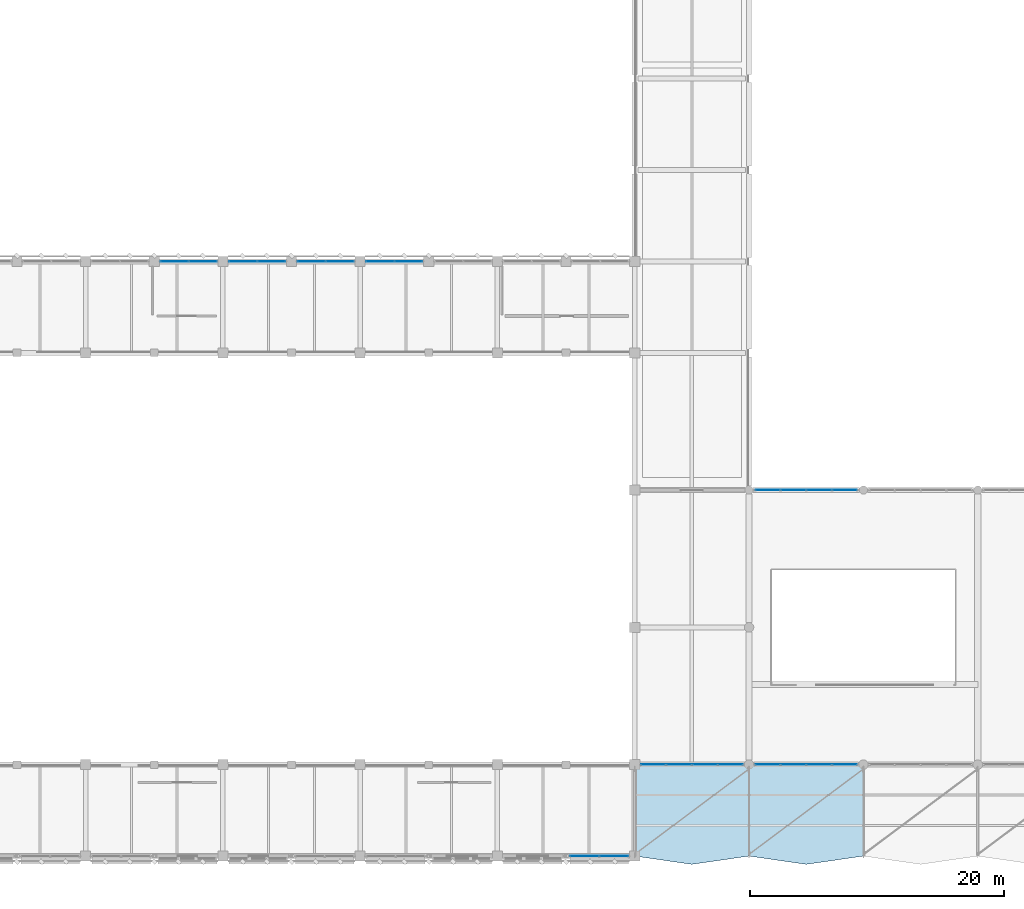
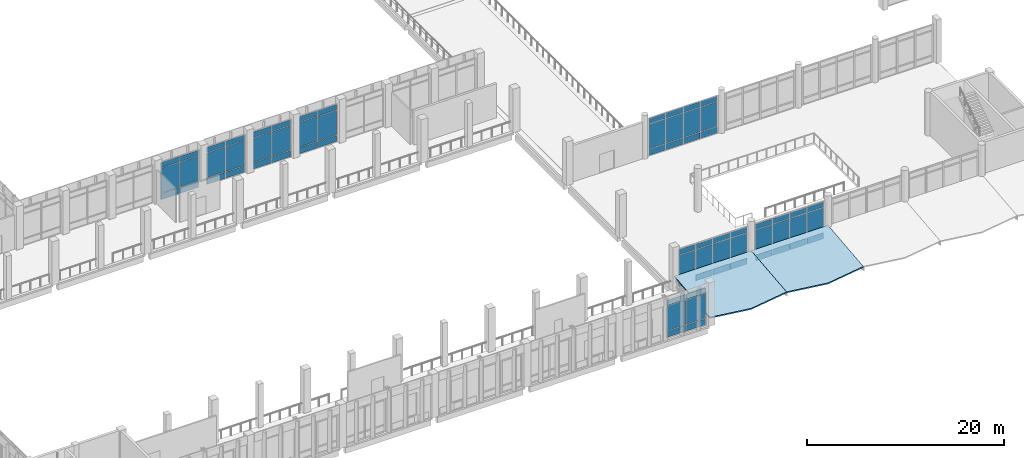
# One storey, part 141 of 180: 66 plates, 2 slabs, 8 elements without a shape of their own.
"""IFC4 building model written with IfcOpenShell, lengths in metres."""

from ifc_helpers import new_model, si_unit, direction, frame, origin, origin_2d, place, context, subcontext, project, spatial, polyline, rectangle, outline, extrude, material, layer, layer_set, type_object, element, aggregate, save


model = new_model("IFC4")

# Units and contexts
model_context = context("Model", 3, precision=1e-05, world=origin(), true_north=direction((0.0, 1.0)))
body_context = subcontext(model_context, "Body", "Model", "MODEL_VIEW")
ifc_project = project(units=[si_unit("LENGTHUNIT", "METRE"), si_unit("AREAUNIT", "SQUARE_METRE"), si_unit("VOLUMEUNIT", "CUBIC_METRE"), si_unit("PLANEANGLEUNIT", "RADIAN"), si_unit("MASSUNIT", "GRAM", prefix="KILO")], contexts=[model_context])

# Site, building, storey
site_placement = place(None, origin())
site = spatial("IfcSite", under=ifc_project, at=site_placement, CompositionType="ELEMENT")
building_placement = place(site_placement, origin())
building = spatial("IfcBuilding", under=site, at=building_placement, Name="Lusvemor Sports Hall", CompositionType="ELEMENT")
storey_placement = place(building_placement, frame((0.0, 0.0, 5.39990234375)))
storey = spatial("IfcBuildingStorey", under=building, at=storey_placement, Name="L01", CompositionType="ELEMENT", Elevation=5.39990234375)

# Curtain wall, plates
ifc_material_1 = material(Name="Thermally broken bronze-anodized aluminium", Category="aluminium")
curtain_wall_type_1 = type_object("IfcCurtainWallType", Name="CW_COURT_C", PredefinedType="NOTDEFINED", material=ifc_material_1)
curtain_wall_1_placement = place(storey_placement, origin())
curtain_wall_1 = element("IfcCurtainWall", 1, at=curtain_wall_1_placement, inside=storey, type_object=curtain_wall_type_1, Name="Curtain Wall CW-V1N-L01-3-B", PredefinedType="NOTDEFINED")
ifc_material_2 = material(Name="Solar-control laminated double glazing", Category="glass")
ifc_layer_1 = layer(ifc_material_2, 0.028076171875)
ifc_layer_set_1 = layer_set([ifc_layer_1], Name="Solar-control laminated double glazing")
plate_type_1 = type_object("IfcPlateType", Name="CW_PAN_GLZ_28", PredefinedType="CURTAIN_PANEL", material=ifc_layer_set_1)
plate_1_placement = place(storey_placement, frame((39.38134765625, 46.800048828125, 0.880126953125), z_axis=(0.0, 0.0, 1.0), x_axis=(1.0, 0.0, 0.0)))
plate_1 = element("IfcPlate", 2, at=plate_1_placement, type_object=plate_type_1, Name="CW03 panel 1.2", PredefinedType="CURTAIN_PANEL", context=body_context, shape_type="SweptSolid", body=[
    extrude(rectangle(XDim=2.172607421875, YDim=0.028076171875, at=origin_2d()), origin(), (0.0, 0.0, 1.0), 3.0400390625),
])
plate_2_placement = place(storey_placement, frame((39.38134765625, 46.800048828125, 3.97998046875), z_axis=(0.0, 0.0, 1.0), x_axis=(1.0, 0.0, 0.0)))
plate_2 = element("IfcPlate", 3, at=plate_2_placement, type_object=plate_type_1, Name="CW03 panel 1.3", PredefinedType="CURTAIN_PANEL", context=body_context, shape_type="SweptSolid", body=[
    extrude(rectangle(XDim=2.172607421875, YDim=0.028076171875, at=origin_2d()), origin(), (0.0, 0.0, 1.0), 0.659912109375),
])
plate_3_placement = place(storey_placement, frame((41.61865234375, 46.800048828125, 0.880126953125), z_axis=(0.0, 0.0, 1.0), x_axis=(1.0, 0.0, 0.0)))
plate_3 = element("IfcPlate", 4, at=plate_3_placement, type_object=plate_type_1, Name="CW03 panel 2.2", PredefinedType="CURTAIN_PANEL", context=body_context, shape_type="SweptSolid", body=[
    extrude(rectangle(XDim=2.172607421875, YDim=0.028076171875, at=origin_2d()), origin(), (0.0, 0.0, 1.0), 3.0400390625),
])
plate_4_placement = place(storey_placement, frame((41.61865234375, 46.800048828125, 3.97998046875), z_axis=(0.0, 0.0, 1.0), x_axis=(1.0, 0.0, 0.0)))
plate_4 = element("IfcPlate", 5, at=plate_4_placement, type_object=plate_type_1, Name="CW03 panel 2.3", PredefinedType="CURTAIN_PANEL", context=body_context, shape_type="SweptSolid", body=[
    extrude(rectangle(XDim=2.172607421875, YDim=0.028076171875, at=origin_2d()), origin(), (0.0, 0.0, 1.0), 0.659912109375),
])

curtain_wall_2_placement = place(storey_placement, origin())
curtain_wall_2 = element("IfcCurtainWall", 6, at=curtain_wall_2_placement, inside=storey, type_object=curtain_wall_type_1, Name="Curtain Wall CW-V1N-L01-4-A", PredefinedType="NOTDEFINED")
plate_5_placement = place(storey_placement, frame((44.78125, 46.800048828125, 0.880126953125), z_axis=(0.0, 0.0, 1.0), x_axis=(1.0, 0.0, 0.0)))
plate_5 = element("IfcPlate", 7, at=plate_5_placement, type_object=plate_type_1, Name="CW03 panel 1.2", PredefinedType="CURTAIN_PANEL", context=body_context, shape_type="SweptSolid", body=[
    extrude(rectangle(XDim=2.172607421875, YDim=0.028076171875, at=origin_2d()), origin(), (0.0, 0.0, 1.0), 3.0400390625),
])
plate_6_placement = place(storey_placement, frame((44.78125, 46.800048828125, 3.97998046875), z_axis=(0.0, 0.0, 1.0), x_axis=(1.0, 0.0, 0.0)))
plate_6 = element("IfcPlate", 8, at=plate_6_placement, type_object=plate_type_1, Name="CW03 panel 1.3", PredefinedType="CURTAIN_PANEL", context=body_context, shape_type="SweptSolid", body=[
    extrude(rectangle(XDim=2.172607421875, YDim=0.028076171875, at=origin_2d()), origin(), (0.0, 0.0, 1.0), 0.659912109375),
])
plate_7_placement = place(storey_placement, frame((47.018798828125, 46.800048828125, 0.880126953125), z_axis=(0.0, 0.0, 1.0), x_axis=(1.0, 0.0, 0.0)))
plate_7 = element("IfcPlate", 9, at=plate_7_placement, type_object=plate_type_1, Name="CW03 panel 2.2", PredefinedType="CURTAIN_PANEL", context=body_context, shape_type="SweptSolid", body=[
    extrude(rectangle(XDim=2.172607421875, YDim=0.028076171875, at=origin_2d()), origin(), (0.0, 0.0, 1.0), 3.0400390625),
])
plate_8_placement = place(storey_placement, frame((47.018798828125, 46.800048828125, 3.97998046875), z_axis=(0.0, 0.0, 1.0), x_axis=(1.0, 0.0, 0.0)))
plate_8 = element("IfcPlate", 10, at=plate_8_placement, type_object=plate_type_1, Name="CW03 panel 2.3", PredefinedType="CURTAIN_PANEL", context=body_context, shape_type="SweptSolid", body=[
    extrude(rectangle(XDim=2.172607421875, YDim=0.028076171875, at=origin_2d()), origin(), (0.0, 0.0, 1.0), 0.659912109375),
])

curtain_wall_3_placement = place(storey_placement, origin())
curtain_wall_3 = element("IfcCurtainWall", 11, at=curtain_wall_3_placement, inside=storey, type_object=curtain_wall_type_1, Name="Curtain Wall CW-V1N-L01-4-B", PredefinedType="NOTDEFINED")
plate_9_placement = place(storey_placement, frame((50.18115234375, 46.800048828125, 0.880126953125), z_axis=(0.0, 0.0, 1.0), x_axis=(1.0, 0.0, 0.0)))
plate_9 = element("IfcPlate", 12, at=plate_9_placement, type_object=plate_type_1, Name="CW03 panel 1.2", PredefinedType="CURTAIN_PANEL", context=body_context, shape_type="SweptSolid", body=[
    extrude(rectangle(XDim=2.172607421875, YDim=0.028076171875, at=origin_2d()), origin(), (0.0, 0.0, 1.0), 3.0400390625),
])
plate_10_placement = place(storey_placement, frame((50.18115234375, 46.800048828125, 3.97998046875), z_axis=(0.0, 0.0, 1.0), x_axis=(1.0, 0.0, 0.0)))
plate_10 = element("IfcPlate", 13, at=plate_10_placement, type_object=plate_type_1, Name="CW03 panel 1.3", PredefinedType="CURTAIN_PANEL", context=body_context, shape_type="SweptSolid", body=[
    extrude(rectangle(XDim=2.172607421875, YDim=0.028076171875, at=origin_2d()), origin(), (0.0, 0.0, 1.0), 0.659912109375),
])
plate_11_placement = place(storey_placement, frame((52.418701171875, 46.800048828125, 0.880126953125), z_axis=(0.0, 0.0, 1.0), x_axis=(1.0, 0.0, 0.0)))
plate_11 = element("IfcPlate", 14, at=plate_11_placement, type_object=plate_type_1, Name="CW03 panel 2.2", PredefinedType="CURTAIN_PANEL", context=body_context, shape_type="SweptSolid", body=[
    extrude(rectangle(XDim=2.172607421875, YDim=0.028076171875, at=origin_2d()), origin(), (0.0, 0.0, 1.0), 3.0400390625),
])
plate_12_placement = place(storey_placement, frame((52.418701171875, 46.800048828125, 3.97998046875), z_axis=(0.0, 0.0, 1.0), x_axis=(1.0, 0.0, 0.0)))
plate_12 = element("IfcPlate", 15, at=plate_12_placement, type_object=plate_type_1, Name="CW03 panel 2.3", PredefinedType="CURTAIN_PANEL", context=body_context, shape_type="SweptSolid", body=[
    extrude(rectangle(XDim=2.172607421875, YDim=0.028076171875, at=origin_2d()), origin(), (0.0, 0.0, 1.0), 0.659912109375),
])

curtain_wall_4_placement = place(storey_placement, origin())
curtain_wall_4 = element("IfcCurtainWall", 16, at=curtain_wall_4_placement, inside=storey, type_object=curtain_wall_type_1, Name="Curtain Wall CW-V1N-L01-5-A", PredefinedType="NOTDEFINED")
plate_13_placement = place(storey_placement, frame((55.581298828125, 46.800048828125, 0.880126953125), z_axis=(0.0, 0.0, 1.0), x_axis=(1.0, 0.0, 0.0)))
plate_13 = element("IfcPlate", 17, at=plate_13_placement, type_object=plate_type_1, Name="CW03 panel 1.2", PredefinedType="CURTAIN_PANEL", context=body_context, shape_type="SweptSolid", body=[
    extrude(rectangle(XDim=2.172607421875, YDim=0.028076171875, at=origin_2d()), origin(), (0.0, 0.0, 1.0), 3.0400390625),
])
plate_14_placement = place(storey_placement, frame((55.581298828125, 46.800048828125, 3.97998046875), z_axis=(0.0, 0.0, 1.0), x_axis=(1.0, 0.0, 0.0)))
plate_14 = element("IfcPlate", 18, at=plate_14_placement, type_object=plate_type_1, Name="CW03 panel 1.3", PredefinedType="CURTAIN_PANEL", context=body_context, shape_type="SweptSolid", body=[
    extrude(rectangle(XDim=2.172607421875, YDim=0.028076171875, at=origin_2d()), origin(), (0.0, 0.0, 1.0), 0.659912109375),
])
plate_15_placement = place(storey_placement, frame((57.81884765625, 46.800048828125, 0.880126953125), z_axis=(0.0, 0.0, 1.0), x_axis=(1.0, 0.0, 0.0)))
plate_15 = element("IfcPlate", 19, at=plate_15_placement, type_object=plate_type_1, Name="CW03 panel 2.2", PredefinedType="CURTAIN_PANEL", context=body_context, shape_type="SweptSolid", body=[
    extrude(rectangle(XDim=2.172607421875, YDim=0.028076171875, at=origin_2d()), origin(), (0.0, 0.0, 1.0), 3.0400390625),
])
plate_16_placement = place(storey_placement, frame((57.81884765625, 46.800048828125, 3.97998046875), z_axis=(0.0, 0.0, 1.0), x_axis=(1.0, 0.0, 0.0)))
plate_16 = element("IfcPlate", 20, at=plate_16_placement, type_object=plate_type_1, Name="CW03 panel 2.3", PredefinedType="CURTAIN_PANEL", context=body_context, shape_type="SweptSolid", body=[
    extrude(rectangle(XDim=2.172607421875, YDim=0.028076171875, at=origin_2d()), origin(), (0.0, 0.0, 1.0), 0.659912109375),
])

curtain_wall_5_placement = place(storey_placement, origin())
curtain_wall_5 = element("IfcCurtainWall", 21, at=curtain_wall_5_placement, inside=storey, type_object=curtain_wall_type_1, Name="Curtain Wall CW-V1S-L01-6-2", PredefinedType="NOTDEFINED")
plate_17_placement = place(storey_placement, frame((73.972412109375, 0.0, 0.8828125), z_axis=(0.0, 0.0, 1.0), x_axis=(-1.0, 0.0, 0.0)))
plate_17 = element("IfcPlate", 22, at=plate_17_placement, type_object=plate_type_1, Name="CW03 panel 1.2", PredefinedType="CURTAIN_PANEL", context=body_context, shape_type="SweptSolid", body=[
    extrude(rectangle(XDim=2.2548828125, YDim=0.028076171875, at=origin_2d()), origin(), (0.0, 0.0, 1.0), 3.034912109375),
])
plate_18_placement = place(storey_placement, frame((73.972412109375, 0.0, 3.982421875), z_axis=(0.0, 0.0, 1.0), x_axis=(-1.0, 0.0, 0.0)))
plate_18 = element("IfcPlate", 23, at=plate_18_placement, type_object=plate_type_1, Name="CW03 panel 1.3", PredefinedType="CURTAIN_PANEL", context=body_context, shape_type="SweptSolid", body=[
    extrude(rectangle(XDim=2.2548828125, YDim=0.028076171875, at=origin_2d()), origin(), (0.0, 0.0, 1.0), 0.652587890625),
])
plate_19_placement = place(storey_placement, frame((71.6474609375, 0.0, 0.8828125), z_axis=(0.0, 0.0, 1.0), x_axis=(-1.0, 0.0, 0.0)))
plate_19 = element("IfcPlate", 24, at=plate_19_placement, type_object=plate_type_1, Name="CW03 panel 2.2", PredefinedType="CURTAIN_PANEL", context=body_context, shape_type="SweptSolid", body=[
    extrude(rectangle(XDim=2.2548828125, YDim=0.028076171875, at=origin_2d()), origin(), (0.0, 0.0, 1.0), 3.034912109375),
])
plate_20_placement = place(storey_placement, frame((71.6474609375, 0.0, 3.982421875), z_axis=(0.0, 0.0, 1.0), x_axis=(-1.0, 0.0, 0.0)))
plate_20 = element("IfcPlate", 25, at=plate_20_placement, type_object=plate_type_1, Name="CW03 panel 2.3", PredefinedType="CURTAIN_PANEL", context=body_context, shape_type="SweptSolid", body=[
    extrude(rectangle(XDim=2.2548828125, YDim=0.028076171875, at=origin_2d()), origin(), (0.0, 0.0, 1.0), 0.652587890625),
])

ifc_material_3 = material(Name="Thermally broken bronze-anodized aluminium", Category="aluminium")
curtain_wall_type_2 = type_object("IfcCurtainWallType", Name="CW_FOYER_A", PredefinedType="NOTDEFINED", material=ifc_material_3)
curtain_wall_6_placement = place(storey_placement, origin())
curtain_wall_6 = element("IfcCurtainWall", 26, at=curtain_wall_6_placement, inside=storey, type_object=curtain_wall_type_2, Name="Curtain Wall CW-V4S-L01-0", PredefinedType="NOTDEFINED")
plate_21_placement = place(storey_placement, frame((83.12744140625, 7.199951171875, 0.8828125), z_axis=(0.0, 0.0, 1.0), x_axis=(-1.0, 0.0, 0.0)))
plate_21 = element("IfcPlate", 27, at=plate_21_placement, type_object=plate_type_1, Name="CW01 panel 1.2", PredefinedType="CURTAIN_PANEL", context=body_context, shape_type="SweptSolid", body=[
    extrude(rectangle(XDim=1.925048828125, YDim=0.028076171875, at=origin_2d()), origin(), (0.0, 0.0, 1.0), 3.034912109375),
])
plate_22_placement = place(storey_placement, frame((83.12744140625, 7.199951171875, 3.982421875), z_axis=(0.0, 0.0, 1.0), x_axis=(-1.0, 0.0, 0.0)))
plate_22 = element("IfcPlate", 28, at=plate_22_placement, type_object=plate_type_1, Name="CW01 panel 1.3", PredefinedType="CURTAIN_PANEL", context=body_context, shape_type="SweptSolid", body=[
    extrude(rectangle(XDim=1.925048828125, YDim=0.028076171875, at=origin_2d()), origin(), (0.0, 0.0, 1.0), 0.652587890625),
])
plate_23_placement = place(storey_placement, frame((81.114990234375, 7.199951171875, 0.8828125), z_axis=(0.0, 0.0, 1.0), x_axis=(-1.0, 0.0, 0.0)))
plate_23 = element("IfcPlate", 29, at=plate_23_placement, type_object=plate_type_1, Name="CW01 panel 2.2", PredefinedType="CURTAIN_PANEL", context=body_context, shape_type="SweptSolid", body=[
    extrude(rectangle(XDim=1.9599609375, YDim=0.028076171875, at=origin_2d()), origin(), (0.0, 0.0, 1.0), 3.034912109375),
])
plate_24_placement = place(storey_placement, frame((81.114990234375, 7.199951171875, 3.982421875), z_axis=(0.0, 0.0, 1.0), x_axis=(-1.0, 0.0, 0.0)))
plate_24 = element("IfcPlate", 30, at=plate_24_placement, type_object=plate_type_1, Name="CW01 panel 2.3", PredefinedType="CURTAIN_PANEL", context=body_context, shape_type="SweptSolid", body=[
    extrude(rectangle(XDim=1.9599609375, YDim=0.028076171875, at=origin_2d()), origin(), (0.0, 0.0, 1.0), 0.652587890625),
])
plate_25_placement = place(storey_placement, frame((79.0849609375, 7.199951171875, 0.8828125), z_axis=(0.0, 0.0, 1.0), x_axis=(-1.0, 0.0, 0.0)))
plate_25 = element("IfcPlate", 31, at=plate_25_placement, type_object=plate_type_1, Name="CW01 panel 3.2", PredefinedType="CURTAIN_PANEL", context=body_context, shape_type="SweptSolid", body=[
    extrude(rectangle(XDim=1.9599609375, YDim=0.028076171875, at=origin_2d()), origin(), (0.0, 0.0, 1.0), 3.034912109375),
])
plate_26_placement = place(storey_placement, frame((79.0849609375, 7.199951171875, 3.982421875), z_axis=(0.0, 0.0, 1.0), x_axis=(-1.0, 0.0, 0.0)))
plate_26 = element("IfcPlate", 32, at=plate_26_placement, type_object=plate_type_1, Name="CW01 panel 3.3", PredefinedType="CURTAIN_PANEL", context=body_context, shape_type="SweptSolid", body=[
    extrude(rectangle(XDim=1.9599609375, YDim=0.028076171875, at=origin_2d()), origin(), (0.0, 0.0, 1.0), 0.652587890625),
])
plate_27_placement = place(storey_placement, frame((77.072509765625, 7.199951171875, 0.8828125), z_axis=(0.0, 0.0, 1.0), x_axis=(-1.0, 0.0, 0.0)))
plate_27 = element("IfcPlate", 33, at=plate_27_placement, type_object=plate_type_1, Name="CW01 panel 4.2", PredefinedType="CURTAIN_PANEL", context=body_context, shape_type="SweptSolid", body=[
    extrude(rectangle(XDim=1.925048828125, YDim=0.028076171875, at=origin_2d()), origin(), (0.0, 0.0, 1.0), 3.034912109375),
])
plate_28_placement = place(storey_placement, frame((77.072509765625, 7.199951171875, 3.982421875), z_axis=(0.0, 0.0, 1.0), x_axis=(-1.0, 0.0, 0.0)))
plate_28 = element("IfcPlate", 34, at=plate_28_placement, type_object=plate_type_1, Name="CW01 panel 4.3", PredefinedType="CURTAIN_PANEL", context=body_context, shape_type="SweptSolid", body=[
    extrude(rectangle(XDim=1.925048828125, YDim=0.028076171875, at=origin_2d()), origin(), (0.0, 0.0, 1.0), 0.652587890625),
])

curtain_wall_7_placement = place(storey_placement, origin())
curtain_wall_7 = element("IfcCurtainWall", 35, at=curtain_wall_7_placement, inside=storey, type_object=curtain_wall_type_2, Name="Curtain Wall CW-V4S-L01-1", PredefinedType="NOTDEFINED")
plate_29_placement = place(storey_placement, frame((92.12744140625, 7.199951171875, 0.8828125), z_axis=(0.0, 0.0, 1.0), x_axis=(-1.0, 0.0, 0.0)))
plate_29 = element("IfcPlate", 36, at=plate_29_placement, type_object=plate_type_1, Name="CW01 panel 1.2", PredefinedType="CURTAIN_PANEL", context=body_context, shape_type="SweptSolid", body=[
    extrude(rectangle(XDim=1.925048828125, YDim=0.028076171875, at=origin_2d()), origin(), (0.0, 0.0, 1.0), 3.034912109375),
])
plate_30_placement = place(storey_placement, frame((92.12744140625, 7.199951171875, 3.982421875), z_axis=(0.0, 0.0, 1.0), x_axis=(-1.0, 0.0, 0.0)))
plate_30 = element("IfcPlate", 37, at=plate_30_placement, type_object=plate_type_1, Name="CW01 panel 1.3", PredefinedType="CURTAIN_PANEL", context=body_context, shape_type="SweptSolid", body=[
    extrude(rectangle(XDim=1.925048828125, YDim=0.028076171875, at=origin_2d()), origin(), (0.0, 0.0, 1.0), 0.652587890625),
])
plate_31_placement = place(storey_placement, frame((90.114990234375, 7.199951171875, 0.8828125), z_axis=(0.0, 0.0, 1.0), x_axis=(-1.0, 0.0, 0.0)))
plate_31 = element("IfcPlate", 38, at=plate_31_placement, type_object=plate_type_1, Name="CW01 panel 2.2", PredefinedType="CURTAIN_PANEL", context=body_context, shape_type="SweptSolid", body=[
    extrude(rectangle(XDim=1.9599609375, YDim=0.028076171875, at=origin_2d()), origin(), (0.0, 0.0, 1.0), 3.034912109375),
])
plate_32_placement = place(storey_placement, frame((90.114990234375, 7.199951171875, 3.982421875), z_axis=(0.0, 0.0, 1.0), x_axis=(-1.0, 0.0, 0.0)))
plate_32 = element("IfcPlate", 39, at=plate_32_placement, type_object=plate_type_1, Name="CW01 panel 2.3", PredefinedType="CURTAIN_PANEL", context=body_context, shape_type="SweptSolid", body=[
    extrude(rectangle(XDim=1.9599609375, YDim=0.028076171875, at=origin_2d()), origin(), (0.0, 0.0, 1.0), 0.652587890625),
])
plate_33_placement = place(storey_placement, frame((88.0849609375, 7.199951171875, 0.8828125), z_axis=(0.0, 0.0, 1.0), x_axis=(-1.0, 0.0, 0.0)))
plate_33 = element("IfcPlate", 40, at=plate_33_placement, type_object=plate_type_1, Name="CW01 panel 3.2", PredefinedType="CURTAIN_PANEL", context=body_context, shape_type="SweptSolid", body=[
    extrude(rectangle(XDim=1.9599609375, YDim=0.028076171875, at=origin_2d()), origin(), (0.0, 0.0, 1.0), 3.034912109375),
])
plate_34_placement = place(storey_placement, frame((88.0849609375, 7.199951171875, 3.982421875), z_axis=(0.0, 0.0, 1.0), x_axis=(-1.0, 0.0, 0.0)))
plate_34 = element("IfcPlate", 41, at=plate_34_placement, type_object=plate_type_1, Name="CW01 panel 3.3", PredefinedType="CURTAIN_PANEL", context=body_context, shape_type="SweptSolid", body=[
    extrude(rectangle(XDim=1.9599609375, YDim=0.028076171875, at=origin_2d()), origin(), (0.0, 0.0, 1.0), 0.652587890625),
])
plate_35_placement = place(storey_placement, frame((86.072509765625, 7.199951171875, 0.8828125), z_axis=(0.0, 0.0, 1.0), x_axis=(-1.0, 0.0, 0.0)))
plate_35 = element("IfcPlate", 42, at=plate_35_placement, type_object=plate_type_1, Name="CW01 panel 4.2", PredefinedType="CURTAIN_PANEL", context=body_context, shape_type="SweptSolid", body=[
    extrude(rectangle(XDim=1.925048828125, YDim=0.028076171875, at=origin_2d()), origin(), (0.0, 0.0, 1.0), 3.034912109375),
])
plate_36_placement = place(storey_placement, frame((86.072509765625, 7.199951171875, 3.982421875), z_axis=(0.0, 0.0, 1.0), x_axis=(-1.0, 0.0, 0.0)))
plate_36 = element("IfcPlate", 43, at=plate_36_placement, type_object=plate_type_1, Name="CW01 panel 4.3", PredefinedType="CURTAIN_PANEL", context=body_context, shape_type="SweptSolid", body=[
    extrude(rectangle(XDim=1.925048828125, YDim=0.028076171875, at=origin_2d()), origin(), (0.0, 0.0, 1.0), 0.652587890625),
])

curtain_wall_8_placement = place(storey_placement, origin())
curtain_wall_8 = element("IfcCurtainWall", 44, at=curtain_wall_8_placement, inside=storey, type_object=curtain_wall_type_2, Name="Curtain Wall CW-V4N-L01-1", PredefinedType="NOTDEFINED")
plate_37_placement = place(storey_placement, frame((86.072509765625, 28.800048828125, 0.8828125), z_axis=(0.0, 0.0, 1.0), x_axis=(1.0, 0.0, 0.0)))
plate_37 = element("IfcPlate", 45, at=plate_37_placement, type_object=plate_type_1, Name="CW01 panel 1.2", PredefinedType="CURTAIN_PANEL", context=body_context, shape_type="SweptSolid", body=[
    extrude(rectangle(XDim=1.925048828125, YDim=0.028076171875, at=origin_2d()), origin(), (0.0, 0.0, 1.0), 3.034912109375),
])
plate_38_placement = place(storey_placement, frame((86.072509765625, 28.800048828125, 3.982421875), z_axis=(0.0, 0.0, 1.0), x_axis=(1.0, 0.0, 0.0)))
plate_38 = element("IfcPlate", 46, at=plate_38_placement, type_object=plate_type_1, Name="CW01 panel 1.3", PredefinedType="CURTAIN_PANEL", context=body_context, shape_type="SweptSolid", body=[
    extrude(rectangle(XDim=1.925048828125, YDim=0.028076171875, at=origin_2d()), origin(), (0.0, 0.0, 1.0), 0.652587890625),
])
plate_39_placement = place(storey_placement, frame((88.0849609375, 28.800048828125, 0.8828125), z_axis=(0.0, 0.0, 1.0), x_axis=(1.0, 0.0, 0.0)))
plate_39 = element("IfcPlate", 47, at=plate_39_placement, type_object=plate_type_1, Name="CW01 panel 2.2", PredefinedType="CURTAIN_PANEL", context=body_context, shape_type="SweptSolid", body=[
    extrude(rectangle(XDim=1.9599609375, YDim=0.028076171875, at=origin_2d()), origin(), (0.0, 0.0, 1.0), 3.034912109375),
])
plate_40_placement = place(storey_placement, frame((88.0849609375, 28.800048828125, 3.982421875), z_axis=(0.0, 0.0, 1.0), x_axis=(1.0, 0.0, 0.0)))
plate_40 = element("IfcPlate", 48, at=plate_40_placement, type_object=plate_type_1, Name="CW01 panel 2.3", PredefinedType="CURTAIN_PANEL", context=body_context, shape_type="SweptSolid", body=[
    extrude(rectangle(XDim=1.9599609375, YDim=0.028076171875, at=origin_2d()), origin(), (0.0, 0.0, 1.0), 0.652587890625),
])
plate_41_placement = place(storey_placement, frame((90.114990234375, 28.800048828125, 0.8828125), z_axis=(0.0, 0.0, 1.0), x_axis=(1.0, 0.0, 0.0)))
plate_41 = element("IfcPlate", 49, at=plate_41_placement, type_object=plate_type_1, Name="CW01 panel 3.2", PredefinedType="CURTAIN_PANEL", context=body_context, shape_type="SweptSolid", body=[
    extrude(rectangle(XDim=1.9599609375, YDim=0.028076171875, at=origin_2d()), origin(), (0.0, 0.0, 1.0), 3.034912109375),
])
plate_42_placement = place(storey_placement, frame((90.114990234375, 28.800048828125, 3.982421875), z_axis=(0.0, 0.0, 1.0), x_axis=(1.0, 0.0, 0.0)))
plate_42 = element("IfcPlate", 50, at=plate_42_placement, type_object=plate_type_1, Name="CW01 panel 3.3", PredefinedType="CURTAIN_PANEL", context=body_context, shape_type="SweptSolid", body=[
    extrude(rectangle(XDim=1.9599609375, YDim=0.028076171875, at=origin_2d()), origin(), (0.0, 0.0, 1.0), 0.652587890625),
])
plate_43_placement = place(storey_placement, frame((92.12744140625, 28.800048828125, 0.8828125), z_axis=(0.0, 0.0, 1.0), x_axis=(1.0, 0.0, 0.0)))
plate_43 = element("IfcPlate", 51, at=plate_43_placement, type_object=plate_type_1, Name="CW01 panel 4.2", PredefinedType="CURTAIN_PANEL", context=body_context, shape_type="SweptSolid", body=[
    extrude(rectangle(XDim=1.925048828125, YDim=0.028076171875, at=origin_2d()), origin(), (0.0, 0.0, 1.0), 3.034912109375),
])
plate_44_placement = place(storey_placement, frame((92.12744140625, 28.800048828125, 3.982421875), z_axis=(0.0, 0.0, 1.0), x_axis=(1.0, 0.0, 0.0)))
plate_44 = element("IfcPlate", 52, at=plate_44_placement, type_object=plate_type_1, Name="CW01 panel 4.3", PredefinedType="CURTAIN_PANEL", context=body_context, shape_type="SweptSolid", body=[
    extrude(rectangle(XDim=1.925048828125, YDim=0.028076171875, at=origin_2d()), origin(), (0.0, 0.0, 1.0), 0.652587890625),
])

# Plate
ifc_material_4 = material(Name="Emerald polychrome glazed ceramic cladding on Concrete C40/50 backing", Category="concrete")
ifc_layer_2 = layer(ifc_material_4, 0.048095703125)
ifc_layer_set_2 = layer_set([ifc_layer_2], Name="Emerald polychrome glazed ceramic cladding on Concrete C40/50 backing")
plate_type_2 = type_object("IfcPlateType", Name="CW_PAN_SPN_48", PredefinedType="CURTAIN_PANEL", material=ifc_layer_set_2)
plate_45_placement = place(storey_placement, frame((39.38134765625, 46.800048828125, 0.06005859375), z_axis=(0.0, 0.0, 1.0), x_axis=(1.0, 0.0, 0.0)))
plate_45 = element("IfcPlate", 53, at=plate_45_placement, type_object=plate_type_2, Name="CW03 panel 1.1", PredefinedType="CURTAIN_PANEL", context=body_context, shape_type="SweptSolid", body=[
    extrude(rectangle(XDim=2.172607421875, YDim=0.048095703125, at=origin_2d()), origin(), (0.0, 0.0, 1.0), 0.760009765625),
])

plate_46_placement = place(storey_placement, frame((41.61865234375, 46.800048828125, 0.06005859375), z_axis=(0.0, 0.0, 1.0), x_axis=(1.0, 0.0, 0.0)))
plate_46 = element("IfcPlate", 54, at=plate_46_placement, type_object=plate_type_2, Name="CW03 panel 2.1", PredefinedType="CURTAIN_PANEL", context=body_context, shape_type="SweptSolid", body=[
    extrude(rectangle(XDim=2.172607421875, YDim=0.048095703125, at=origin_2d()), origin(), (0.0, 0.0, 1.0), 0.760009765625),
])

aggregate(curtain_wall_1, [plate_45, plate_1, plate_2, plate_46, plate_3, plate_4])

plate_47_placement = place(storey_placement, frame((44.78125, 46.800048828125, 0.06005859375), z_axis=(0.0, 0.0, 1.0), x_axis=(1.0, 0.0, 0.0)))
plate_47 = element("IfcPlate", 55, at=plate_47_placement, type_object=plate_type_2, Name="CW03 panel 1.1", PredefinedType="CURTAIN_PANEL", context=body_context, shape_type="SweptSolid", body=[
    extrude(rectangle(XDim=2.172607421875, YDim=0.048095703125, at=origin_2d()), origin(), (0.0, 0.0, 1.0), 0.760009765625),
])

plate_48_placement = place(storey_placement, frame((47.018798828125, 46.800048828125, 0.06005859375), z_axis=(0.0, 0.0, 1.0), x_axis=(1.0, 0.0, 0.0)))
plate_48 = element("IfcPlate", 56, at=plate_48_placement, type_object=plate_type_2, Name="CW03 panel 2.1", PredefinedType="CURTAIN_PANEL", context=body_context, shape_type="SweptSolid", body=[
    extrude(rectangle(XDim=2.172607421875, YDim=0.048095703125, at=origin_2d()), origin(), (0.0, 0.0, 1.0), 0.760009765625),
])

aggregate(curtain_wall_2, [plate_47, plate_5, plate_6, plate_48, plate_7, plate_8])

plate_49_placement = place(storey_placement, frame((50.18115234375, 46.800048828125, 0.06005859375), z_axis=(0.0, 0.0, 1.0), x_axis=(1.0, 0.0, 0.0)))
plate_49 = element("IfcPlate", 57, at=plate_49_placement, type_object=plate_type_2, Name="CW03 panel 1.1", PredefinedType="CURTAIN_PANEL", context=body_context, shape_type="SweptSolid", body=[
    extrude(rectangle(XDim=2.172607421875, YDim=0.048095703125, at=origin_2d()), origin(), (0.0, 0.0, 1.0), 0.760009765625),
])

plate_50_placement = place(storey_placement, frame((52.418701171875, 46.800048828125, 0.06005859375), z_axis=(0.0, 0.0, 1.0), x_axis=(1.0, 0.0, 0.0)))
plate_50 = element("IfcPlate", 58, at=plate_50_placement, type_object=plate_type_2, Name="CW03 panel 2.1", PredefinedType="CURTAIN_PANEL", context=body_context, shape_type="SweptSolid", body=[
    extrude(rectangle(XDim=2.172607421875, YDim=0.048095703125, at=origin_2d()), origin(), (0.0, 0.0, 1.0), 0.760009765625),
])

aggregate(curtain_wall_3, [plate_49, plate_9, plate_10, plate_50, plate_11, plate_12])

plate_51_placement = place(storey_placement, frame((55.581298828125, 46.800048828125, 0.06005859375), z_axis=(0.0, 0.0, 1.0), x_axis=(1.0, 0.0, 0.0)))
plate_51 = element("IfcPlate", 59, at=plate_51_placement, type_object=plate_type_2, Name="CW03 panel 1.1", PredefinedType="CURTAIN_PANEL", context=body_context, shape_type="SweptSolid", body=[
    extrude(rectangle(XDim=2.172607421875, YDim=0.048095703125, at=origin_2d()), origin(), (0.0, 0.0, 1.0), 0.760009765625),
])

plate_52_placement = place(storey_placement, frame((57.81884765625, 46.800048828125, 0.06005859375), z_axis=(0.0, 0.0, 1.0), x_axis=(1.0, 0.0, 0.0)))
plate_52 = element("IfcPlate", 60, at=plate_52_placement, type_object=plate_type_2, Name="CW03 panel 2.1", PredefinedType="CURTAIN_PANEL", context=body_context, shape_type="SweptSolid", body=[
    extrude(rectangle(XDim=2.172607421875, YDim=0.048095703125, at=origin_2d()), origin(), (0.0, 0.0, 1.0), 0.760009765625),
])

aggregate(curtain_wall_4, [plate_51, plate_13, plate_14, plate_52, plate_15, plate_16])

plate_53_placement = place(storey_placement, frame((73.972412109375, 0.0, 0.065185546875), z_axis=(0.0, 0.0, 1.0), x_axis=(-1.0, 0.0, 0.0)))
plate_53 = element("IfcPlate", 61, at=plate_53_placement, type_object=plate_type_2, Name="CW03 panel 1.1", PredefinedType="CURTAIN_PANEL", context=body_context, shape_type="SweptSolid", body=[
    extrude(rectangle(XDim=2.2548828125, YDim=0.048095703125, at=origin_2d()), origin(), (0.0, 0.0, 1.0), 0.75244140625),
])

plate_54_placement = place(storey_placement, frame((71.6474609375, 0.0, 0.065185546875), z_axis=(0.0, 0.0, 1.0), x_axis=(-1.0, 0.0, 0.0)))
plate_54 = element("IfcPlate", 62, at=plate_54_placement, type_object=plate_type_2, Name="CW03 panel 2.1", PredefinedType="CURTAIN_PANEL", context=body_context, shape_type="SweptSolid", body=[
    extrude(rectangle(XDim=2.2548828125, YDim=0.048095703125, at=origin_2d()), origin(), (0.0, 0.0, 1.0), 0.75244140625),
])

aggregate(curtain_wall_5, [plate_53, plate_17, plate_18, plate_54, plate_19, plate_20])

plate_55_placement = place(storey_placement, frame((83.12744140625, 7.199951171875, 0.065185546875), z_axis=(0.0, 0.0, 1.0), x_axis=(-1.0, 0.0, 0.0)))
plate_55 = element("IfcPlate", 63, at=plate_55_placement, type_object=plate_type_2, Name="CW01 panel 1.1", PredefinedType="CURTAIN_PANEL", context=body_context, shape_type="SweptSolid", body=[
    extrude(rectangle(XDim=1.925048828125, YDim=0.048095703125, at=origin_2d()), origin(), (0.0, 0.0, 1.0), 0.75244140625),
])

plate_56_placement = place(storey_placement, frame((81.114990234375, 7.199951171875, 0.065185546875), z_axis=(0.0, 0.0, 1.0), x_axis=(-1.0, 0.0, 0.0)))
plate_56 = element("IfcPlate", 64, at=plate_56_placement, type_object=plate_type_2, Name="CW01 panel 2.1", PredefinedType="CURTAIN_PANEL", context=body_context, shape_type="SweptSolid", body=[
    extrude(rectangle(XDim=1.9599609375, YDim=0.048095703125, at=origin_2d()), origin(), (0.0, 0.0, 1.0), 0.75244140625),
])

plate_57_placement = place(storey_placement, frame((79.0849609375, 7.199951171875, 0.065185546875), z_axis=(0.0, 0.0, 1.0), x_axis=(-1.0, 0.0, 0.0)))
plate_57 = element("IfcPlate", 65, at=plate_57_placement, type_object=plate_type_2, Name="CW01 panel 3.1", PredefinedType="CURTAIN_PANEL", context=body_context, shape_type="SweptSolid", body=[
    extrude(rectangle(XDim=1.9599609375, YDim=0.048095703125, at=origin_2d()), origin(), (0.0, 0.0, 1.0), 0.75244140625),
])

plate_58_placement = place(storey_placement, frame((77.072509765625, 7.199951171875, 0.065185546875), z_axis=(0.0, 0.0, 1.0), x_axis=(-1.0, 0.0, 0.0)))
plate_58 = element("IfcPlate", 66, at=plate_58_placement, type_object=plate_type_2, Name="CW01 panel 4.1", PredefinedType="CURTAIN_PANEL", context=body_context, shape_type="SweptSolid", body=[
    extrude(rectangle(XDim=1.925048828125, YDim=0.048095703125, at=origin_2d()), origin(), (0.0, 0.0, 1.0), 0.75244140625),
])

aggregate(curtain_wall_6, [plate_55, plate_21, plate_22, plate_56, plate_23, plate_24, plate_57, plate_25, plate_26, plate_58, plate_27, plate_28])

plate_59_placement = place(storey_placement, frame((92.12744140625, 7.199951171875, 0.065185546875), z_axis=(0.0, 0.0, 1.0), x_axis=(-1.0, 0.0, 0.0)))
plate_59 = element("IfcPlate", 67, at=plate_59_placement, type_object=plate_type_2, Name="CW01 panel 1.1", PredefinedType="CURTAIN_PANEL", context=body_context, shape_type="SweptSolid", body=[
    extrude(rectangle(XDim=1.925048828125, YDim=0.048095703125, at=origin_2d()), origin(), (0.0, 0.0, 1.0), 0.75244140625),
])

plate_60_placement = place(storey_placement, frame((90.114990234375, 7.199951171875, 0.065185546875), z_axis=(0.0, 0.0, 1.0), x_axis=(-1.0, 0.0, 0.0)))
plate_60 = element("IfcPlate", 68, at=plate_60_placement, type_object=plate_type_2, Name="CW01 panel 2.1", PredefinedType="CURTAIN_PANEL", context=body_context, shape_type="SweptSolid", body=[
    extrude(rectangle(XDim=1.9599609375, YDim=0.048095703125, at=origin_2d()), origin(), (0.0, 0.0, 1.0), 0.75244140625),
])

plate_61_placement = place(storey_placement, frame((88.0849609375, 7.199951171875, 0.065185546875), z_axis=(0.0, 0.0, 1.0), x_axis=(-1.0, 0.0, 0.0)))
plate_61 = element("IfcPlate", 69, at=plate_61_placement, type_object=plate_type_2, Name="CW01 panel 3.1", PredefinedType="CURTAIN_PANEL", context=body_context, shape_type="SweptSolid", body=[
    extrude(rectangle(XDim=1.9599609375, YDim=0.048095703125, at=origin_2d()), origin(), (0.0, 0.0, 1.0), 0.75244140625),
])

plate_62_placement = place(storey_placement, frame((86.072509765625, 7.199951171875, 0.065185546875), z_axis=(0.0, 0.0, 1.0), x_axis=(-1.0, 0.0, 0.0)))
plate_62 = element("IfcPlate", 70, at=plate_62_placement, type_object=plate_type_2, Name="CW01 panel 4.1", PredefinedType="CURTAIN_PANEL", context=body_context, shape_type="SweptSolid", body=[
    extrude(rectangle(XDim=1.925048828125, YDim=0.048095703125, at=origin_2d()), origin(), (0.0, 0.0, 1.0), 0.75244140625),
])

aggregate(curtain_wall_7, [plate_59, plate_29, plate_30, plate_60, plate_31, plate_32, plate_61, plate_33, plate_34, plate_62, plate_35, plate_36])

plate_63_placement = place(storey_placement, frame((86.072509765625, 28.800048828125, 0.065185546875), z_axis=(0.0, 0.0, 1.0), x_axis=(1.0, 0.0, 0.0)))
plate_63 = element("IfcPlate", 71, at=plate_63_placement, type_object=plate_type_2, Name="CW01 panel 1.1", PredefinedType="CURTAIN_PANEL", context=body_context, shape_type="SweptSolid", body=[
    extrude(rectangle(XDim=1.925048828125, YDim=0.048095703125, at=origin_2d()), origin(), (0.0, 0.0, 1.0), 0.75244140625),
])

plate_64_placement = place(storey_placement, frame((88.0849609375, 28.800048828125, 0.065185546875), z_axis=(0.0, 0.0, 1.0), x_axis=(1.0, 0.0, 0.0)))
plate_64 = element("IfcPlate", 72, at=plate_64_placement, type_object=plate_type_2, Name="CW01 panel 2.1", PredefinedType="CURTAIN_PANEL", context=body_context, shape_type="SweptSolid", body=[
    extrude(rectangle(XDim=1.9599609375, YDim=0.048095703125, at=origin_2d()), origin(), (0.0, 0.0, 1.0), 0.75244140625),
])

plate_65_placement = place(storey_placement, frame((90.114990234375, 28.800048828125, 0.065185546875), z_axis=(0.0, 0.0, 1.0), x_axis=(1.0, 0.0, 0.0)))
plate_65 = element("IfcPlate", 73, at=plate_65_placement, type_object=plate_type_2, Name="CW01 panel 3.1", PredefinedType="CURTAIN_PANEL", context=body_context, shape_type="SweptSolid", body=[
    extrude(rectangle(XDim=1.9599609375, YDim=0.048095703125, at=origin_2d()), origin(), (0.0, 0.0, 1.0), 0.75244140625),
])

plate_66_placement = place(storey_placement, frame((92.12744140625, 28.800048828125, 0.065185546875), z_axis=(0.0, 0.0, 1.0), x_axis=(1.0, 0.0, 0.0)))
plate_66 = element("IfcPlate", 74, at=plate_66_placement, type_object=plate_type_2, Name="CW01 panel 4.1", PredefinedType="CURTAIN_PANEL", context=body_context, shape_type="SweptSolid", body=[
    extrude(rectangle(XDim=1.925048828125, YDim=0.048095703125, at=origin_2d()), origin(), (0.0, 0.0, 1.0), 0.75244140625),
])

aggregate(curtain_wall_8, [plate_63, plate_37, plate_38, plate_64, plate_39, plate_40, plate_65, plate_41, plate_42, plate_66, plate_43, plate_44])

# Slabs
ifc_material_5 = material(Name="Precast concrete C40/50", Category="concrete")
ifc_layer_3 = layer(ifc_material_5, 0.159912109375)
ifc_layer_set_3 = layer_set([ifc_layer_3], Name="Precast concrete C40/50")
slab_type = type_object("IfcSlabType", Name="ROOF_CANOPY_160", PredefinedType="ROOF", material=ifc_layer_set_3)
for number, where, z_axis, x_axis, name in (
    (75, (84.60009765625, 0.0, 0.800048828125), (0.0, -0.103602093836, 0.994618824552), (-0.989621933471, -0.1429223603, -0.014887166237), "Boulevard Canopy Roof 8-9"),
    (76, (93.60009765625, 0.0, 0.800048828125), (0.0, -0.103602093836, 0.994618824552), (-0.989621933471, -0.1429223603, -0.014887166237), "Boulevard Canopy Roof 9-10"),
):
    element("IfcSlab", number, at=place(storey_placement, frame(where, z_axis=z_axis, x_axis=x_axis)), inside=storey, type_object=slab_type, Name=name, PredefinedType="ROOF", context=body_context, shape_type="SweptSolid", body=[
        extrude(outline(polyline([(0.0, 0.0), (4.547191051247911, -2.0122792321330962e-16), (8.906597401242989, -1.2932605043732137), (7.866398011037331, -8.457043171710147), (-1.0401993902056572, -7.163782667336934), (0.0, 0.0)])), origin(), (0.0, 0.0, -1.0), 0.159912109375),
    ])

save(model, "model.ifc")
